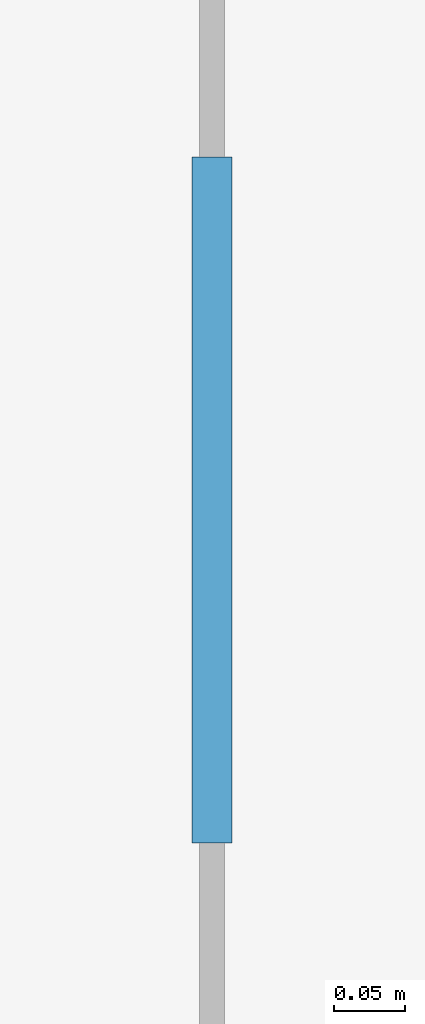
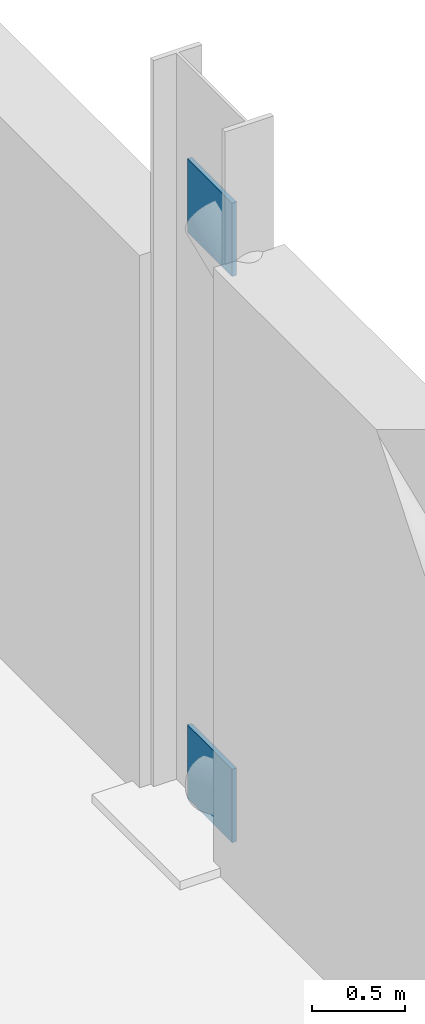
# One storey, part 25 of 54: 2 plates.
"""IFC4 building model written with IfcOpenShell, lengths in metres."""

from ifc_helpers import new_model, si_unit, direction, frame, origin, origin_2d, place, context, subcontext, project, spatial, rectangle, extrude, material, layer, layer_set, type_object, element, save


model = new_model("IFC4")

# Units and contexts
model_context = context("Model", 3, precision=1e-05, world=origin(), true_north=direction((0.0, 1.0)))
body_context = subcontext(model_context, "Body", "Model", "MODEL_VIEW")
ifc_project = project(units=[si_unit("LENGTHUNIT", "METRE"), si_unit("AREAUNIT", "SQUARE_METRE"), si_unit("VOLUMEUNIT", "CUBIC_METRE"), si_unit("PLANEANGLEUNIT", "RADIAN"), si_unit("MASSUNIT", "GRAM", prefix="KILO")], contexts=[model_context])

# Site, building, storey
site_placement = place(None, origin())
site = spatial("IfcSite", under=ifc_project, at=site_placement, CompositionType="ELEMENT")
building_placement = place(site_placement, origin())
building = spatial("IfcBuilding", under=site, at=building_placement, Name="Sundgate Opera House", CompositionType="ELEMENT")
storey_placement = place(building_placement, frame((0.0, 0.0, 16.800048828125)))
storey = spatial("IfcBuildingStorey", under=building, at=storey_placement, Name="L03", CompositionType="ELEMENT", Elevation=16.800048828125)

# Plates
ifc_material = material(Name="Steel S355J2", Category="steel")
ifc_layer = layer(ifc_material, 0.028076171875)
ifc_layer_set = layer_set([ifc_layer], Name="Steel S355J2")
plate_type = type_object("IfcPlateType", Name="PT-GUS-28", PredefinedType="USERDEFINED", material=ifc_layer_set)
for number, where, z_axis, x_axis, name in (
    (1, (81.0, 42.0, 3.7099609375), (0.0, 0.0, 1.0), (1.0, 0.0, 0.0), "L03 Belt-Truss End Gusset"),
    (2, (81.0, 42.0, 0.010009765625), (0.0, 0.0, 1.0), (1.0, 0.0, 0.0), "L03 Belt-Truss End Gusset"),
):
    element("IfcPlate", number, at=place(storey_placement, frame(where, z_axis=z_axis, x_axis=x_axis)), inside=storey, type_object=plate_type, Name=name, ObjectType="GUSSET PLATE", PredefinedType="USERDEFINED", context=body_context, shape_type="SweptSolid", body=[
        extrude(rectangle(XDim=0.028076171875, YDim=0.47998046875, at=origin_2d()), origin(), (0.0, 0.0, 1.0), 0.47998046875),
    ])

save(model, "model.ifc")
